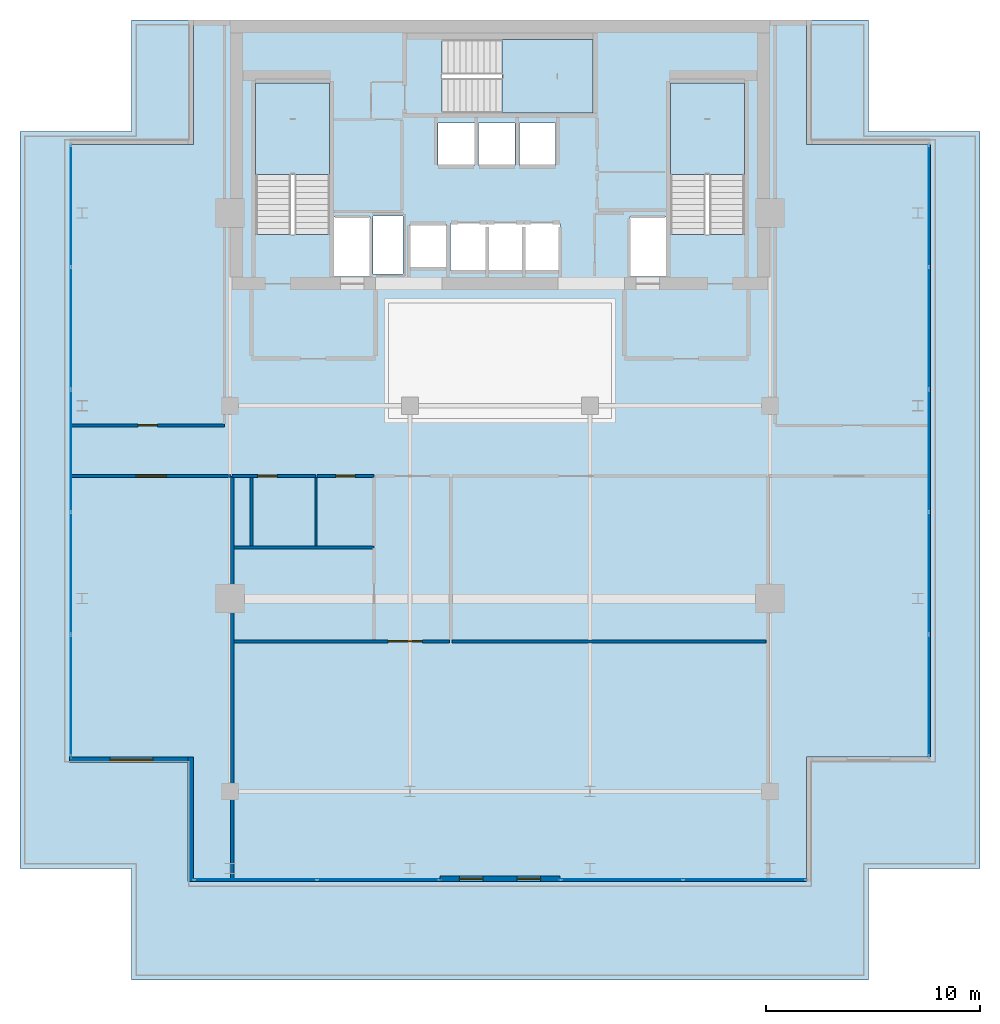
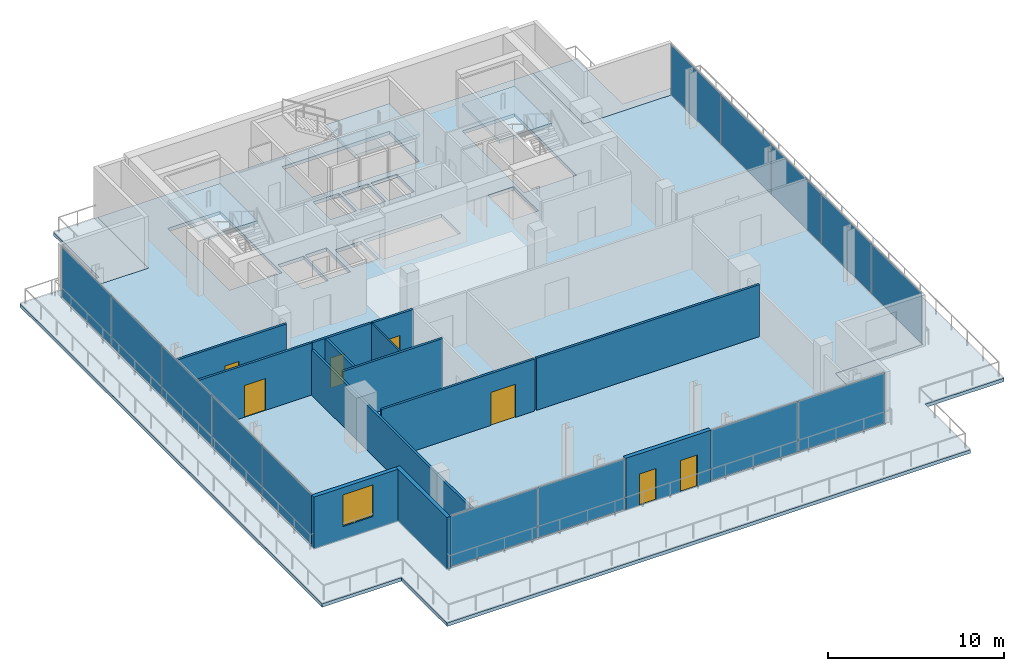
# One storey, part 15 of 21: 14 plates, 13 walls, 7 doors, 5 slabs, 1 window, 8 openings, 7 elements without a shape of their own.
"""IFC4 building model written with IfcOpenShell, lengths in metres."""

from ifc_helpers import new_model, si_unit, direction, frame, frame_2d, origin, origin_2d, place, context, subcontext, project, spatial, polyline, rectangle, outline, extrude, material, layer, layer_set, type_object, element, fill, aggregate, save


model = new_model("IFC4")

# Units and contexts
model_context = context("Model", 3, precision=1e-05, world=origin(), true_north=direction((0.0, 1.0)))
body_context = subcontext(model_context, "Body", "Model", "MODEL_VIEW")
ifc_project = project(units=[si_unit("LENGTHUNIT", "METRE"), si_unit("AREAUNIT", "SQUARE_METRE"), si_unit("VOLUMEUNIT", "CUBIC_METRE"), si_unit("PLANEANGLEUNIT", "RADIAN"), si_unit("MASSUNIT", "GRAM", prefix="KILO")], contexts=[model_context])

# Site, building, storey
site_placement = place(None, origin())
site = spatial("IfcSite", under=ifc_project, at=site_placement, CompositionType="ELEMENT")
building_placement = place(site_placement, origin())
building = spatial("IfcBuilding", under=site, at=building_placement, Name="Maruvema Waterfront Hotel and Observation Tower", CompositionType="ELEMENT")
storey_placement = place(building_placement, frame((0.0, 0.0, 322.0)))
storey = spatial("IfcBuildingStorey", under=building, at=storey_placement, Name="L79", CompositionType="ELEMENT", Elevation=322.0)

# Slabs
ifc_material_1 = material(Name="Concrete C50/60", Category="concrete")
ifc_layer_1 = layer(ifc_material_1, 0.239990234375, Name="Outdoor Setback Terrace Deck Slab 240 mm")
ifc_layer_set_1 = layer_set([ifc_layer_1], Name="Concrete C50/60")
slab_type_1 = type_object("IfcSlabType", Name="Outdoor Setback Terrace Deck Slab 240 mm", PredefinedType="FLOOR", material=ifc_layer_set_1)
slab_1_placement = place(storey_placement, frame((0.0, 0.0, -0.239990234375)))
element("IfcSlab", 1, at=slab_1_placement, inside=storey, type_object=slab_type_1, Name="L79 Outdoor Setback Terrace Deck 1", PredefinedType="FLOOR", context=body_context, shape_type="SweptSolid", body=[
    extrude(outline(polyline([(55.0, 54.0), (55.0, 48.800048828125), (60.199951171875, 48.800048828125), (60.199951171875, 14.39990234375), (55.0, 14.39990234375), (55.0, 9.199951171875), (20.60009765625, 9.199951171875), (20.60009765625, 14.39990234375), (15.39990234375, 14.39990234375), (15.39990234375, 48.800048828125), (20.60009765625, 48.800048828125), (20.60009765625, 54.0), (23.5, 54.0), (23.5, 48.199951171875), (17.699951171875, 48.199951171875), (17.699951171875, 19.60009765625), (23.5, 19.60009765625), (23.5, 13.800048828125), (52.10009765625, 13.800048828125), (52.10009765625, 19.60009765625), (57.89990234375, 19.60009765625), (57.89990234375, 48.199951171875), (52.10009765625, 48.199951171875), (52.10009765625, 54.0), (55.0, 54.0)])), origin(), (0.0, 0.0, 1.0), 0.239990234375),
])
ifc_material_2 = material(Name="Concrete C50/60", Category="concrete")
ifc_layer_2 = layer(ifc_material_2, 0.239990234375, Name="Reinforced Concrete Floor Slab 240 mm")
ifc_layer_set_2 = layer_set([ifc_layer_2], Name="Concrete C50/60")
slab_type_2 = type_object("IfcSlabType", Name="Reinforced Concrete Floor Slab 240 mm", PredefinedType="FLOOR", material=ifc_layer_set_2)
slab_2_placement = place(storey_placement, frame((0.0, 0.0, -0.239990234375)))
element("IfcSlab", 2, at=slab_2_placement, inside=storey, type_object=slab_type_2, Name="L79 Structural Floor Slab", PredefinedType="FLOOR", context=body_context, shape_type="SweptSolid", body=[
    extrude(outline(polyline([(23.5, 13.800048828125), (52.10009765625, 13.800048828125), (52.10009765625, 19.60009765625), (57.89990234375, 19.60009765625), (57.89990234375, 48.199951171875), (52.10009765625, 48.199951171875), (52.10009765625, 54.0), (23.5, 54.0), (23.5, 48.199951171875), (17.699951171875, 48.199951171875), (17.699951171875, 19.60009765625), (23.5, 19.60009765625), (23.5, 13.800048828125)]), holes=[polyline([(26.39990234375, 44.00048828125), (26.39990234375, 51.050048828125), (29.85009765625, 51.050048828125), (29.85009765625, 44.00048828125), (26.39990234375, 44.00048828125)]), polyline([(30.050048828125, 44.800048828125), (31.75, 44.800048828125), (31.75, 42.02001953125), (30.050048828125, 42.02001953125), (30.050048828125, 44.800048828125)]), polyline([(31.8798828125, 42.139892578125), (31.8798828125, 44.860107421875), (33.280029296875, 44.860107421875), (33.280029296875, 42.139892578125), (31.8798828125, 42.139892578125)]), polyline([(33.60009765625, 44.449951171875), (35.300048828125, 44.449951171875), (35.300048828125, 42.449951171875), (33.60009765625, 42.449951171875), (33.60009765625, 44.449951171875)]), polyline([(34.89990234375, 49.199951171875), (36.60009765625, 49.199951171875), (36.60009765625, 47.199951171875), (34.89990234375, 47.199951171875), (34.89990234375, 49.199951171875)]), polyline([(36.800048828125, 47.199951171875), (36.800048828125, 49.199951171875), (38.5, 49.199951171875), (38.5, 47.199951171875), (36.800048828125, 47.199951171875)]), polyline([(35.5, 42.300048828125), (35.5, 44.5), (40.60009765625, 44.5), (40.60009765625, 42.300048828125), (35.5, 42.300048828125)]), polyline([(35.1005859375, 53.10009765625), (42.14990234375, 53.10009765625), (42.14990234375, 49.64990234375), (35.1005859375, 49.64990234375), (35.1005859375, 53.10009765625)]), polyline([(38.699951171875, 49.199951171875), (40.39990234375, 49.199951171875), (40.39990234375, 47.199951171875), (38.699951171875, 47.199951171875), (38.699951171875, 49.199951171875)]), polyline([(43.85009765625, 44.800048828125), (45.550048828125, 44.800048828125), (45.550048828125, 42.02001953125), (43.85009765625, 42.02001953125), (43.85009765625, 44.800048828125)]), polyline([(45.75, 44.00048828125), (45.75, 51.050048828125), (49.199951171875, 51.050048828125), (49.199951171875, 44.00048828125), (45.75, 44.00048828125)])]), origin(), (0.0, 0.0, 1.0), 0.239990234375),
])

# Curtain wall, plates
ifc_material_3 = material(Name="Anodised bronze aluminium and solar-control low-E IGU", Category="aluminium")
ifc_layer_3 = layer(ifc_material_3, 0.159912109375, Name="Zone 4 Sky Residence Inner Curtain Wall System CW-05")
ifc_layer_set_3 = layer_set([ifc_layer_3], Name="Anodised bronze aluminium and solar-control low-E IGU")
curtain_wall_type = type_object("IfcCurtainWallType", Name="Zone 4 Sky Residence Inner Curtain Wall System CW-05", PredefinedType="USERDEFINED", material=ifc_layer_set_3)
curtain_wall_1_placement = place(storey_placement, origin())
curtain_wall_1 = element("IfcCurtainWall", 3, at=curtain_wall_1_placement, inside=storey, type_object=curtain_wall_type, Name="L79 Curtain Wall CW-L79-SW", ObjectType="UNITISED CURTAIN WALL", PredefinedType="USERDEFINED")
ifc_material_4 = material(Name="Laminated low-E solar-control double glazing", Category="glass")
ifc_layer_4 = layer(ifc_material_4, 0.035888671875, Name="Solar Control Double-Glazed Curtain Panel 36 mm")
ifc_layer_set_4 = layer_set([ifc_layer_4], Name="Laminated low-E solar-control double glazing")
plate_type = type_object("IfcPlateType", Name="Solar Control Double-Glazed Curtain Panel 36 mm", PredefinedType="CURTAIN_PANEL", material=ifc_layer_set_4)
plate_1_placement = place(storey_placement, frame((26.389892578125, 13.8798828125, 0.06005859375), z_axis=(0.0, 0.0, 1.0), x_axis=(1.0, 0.0, 0.0)))
plate_1 = element("IfcPlate", 4, at=plate_1_placement, type_object=plate_type, Name="CW-05 panel 1.1", PredefinedType="CURTAIN_PANEL", context=body_context, shape_type="SweptSolid", body=[
    extrude(rectangle(XDim=5.659912109375, YDim=0.028076171875, at=origin_2d()), origin(), (0.0, 0.0, 1.0), 3.489990234375),
])
plate_2_placement = place(storey_placement, frame((32.110107421875, 13.8798828125, 0.06005859375), z_axis=(0.0, 0.0, 1.0), x_axis=(1.0, 0.0, 0.0)))
plate_2 = element("IfcPlate", 5, at=plate_2_placement, type_object=plate_type, Name="CW-05 panel 2.1", PredefinedType="CURTAIN_PANEL", context=body_context, shape_type="SweptSolid", body=[
    extrude(rectangle(XDim=5.659912109375, YDim=0.028076171875, at=origin_2d()), origin(), (0.0, 0.0, 1.0), 3.489990234375),
])
aggregate(curtain_wall_1, [plate_1, plate_2])

curtain_wall_2_placement = place(storey_placement, origin())
curtain_wall_2 = element("IfcCurtainWall", 6, at=curtain_wall_2_placement, inside=storey, type_object=curtain_wall_type, Name="L79 Curtain Wall CW-L79-SE", ObjectType="UNITISED CURTAIN WALL", PredefinedType="USERDEFINED")
plate_3_placement = place(storey_placement, frame((43.489990234375, 13.8798828125, 0.06005859375), z_axis=(0.0, 0.0, 1.0), x_axis=(1.0, 0.0, 0.0)))
plate_3 = element("IfcPlate", 7, at=plate_3_placement, type_object=plate_type, Name="CW-05 panel 1.1", PredefinedType="CURTAIN_PANEL", context=body_context, shape_type="SweptSolid", body=[
    extrude(rectangle(XDim=5.659912109375, YDim=0.028076171875, at=origin_2d()), origin(), (0.0, 0.0, 1.0), 3.489990234375),
])
plate_4_placement = place(storey_placement, frame((49.2099609375, 13.8798828125, 0.06005859375), z_axis=(0.0, 0.0, 1.0), x_axis=(1.0, 0.0, 0.0)))
plate_4 = element("IfcPlate", 8, at=plate_4_placement, type_object=plate_type, Name="CW-05 panel 2.1", PredefinedType="CURTAIN_PANEL", context=body_context, shape_type="SweptSolid", body=[
    extrude(rectangle(XDim=5.659912109375, YDim=0.028076171875, at=origin_2d()), origin(), (0.0, 0.0, 1.0), 3.489990234375),
])
aggregate(curtain_wall_2, [plate_3, plate_4])

curtain_wall_3_placement = place(storey_placement, origin())
curtain_wall_3 = element("IfcCurtainWall", 9, at=curtain_wall_3_placement, inside=storey, type_object=curtain_wall_type, Name="L79 Curtain Wall CW-L79-E", ObjectType="UNITISED CURTAIN WALL", PredefinedType="USERDEFINED")
plate_5_placement = place(storey_placement, frame((57.820068359375, 22.47509765625, 0.06005859375), z_axis=(0.0, 0.0, 1.0), x_axis=(0.0, 1.0, 0.0)))
plate_5 = element("IfcPlate", 10, at=plate_5_placement, type_object=plate_type, Name="CW-05 panel 1.1", PredefinedType="CURTAIN_PANEL", context=body_context, shape_type="SweptSolid", body=[
    extrude(rectangle(XDim=5.6298828125, YDim=0.028076171875, at=origin_2d()), origin(), (0.0, 0.0, 1.0), 3.489990234375),
])
plate_6_placement = place(storey_placement, frame((57.820068359375, 28.179931640625, 0.06005859375), z_axis=(0.0, 0.0, 1.0), x_axis=(0.0, 1.0, 0.0)))
plate_6 = element("IfcPlate", 11, at=plate_6_placement, type_object=plate_type, Name="CW-05 panel 2.1", PredefinedType="CURTAIN_PANEL", context=body_context, shape_type="SweptSolid", body=[
    extrude(rectangle(XDim=5.659912109375, YDim=0.028076171875, at=origin_2d()), origin(), (0.0, 0.0, 1.0), 3.489990234375),
])
plate_7_placement = place(storey_placement, frame((57.820068359375, 33.89990234375, 0.06005859375), z_axis=(0.0, 0.0, 1.0), x_axis=(0.0, 1.0, 0.0)))
plate_7 = element("IfcPlate", 12, at=plate_7_placement, type_object=plate_type, Name="CW-05 panel 3.1", PredefinedType="CURTAIN_PANEL", context=body_context, shape_type="SweptSolid", body=[
    extrude(rectangle(XDim=5.659912109375, YDim=0.028076171875, at=origin_2d()), origin(), (0.0, 0.0, 1.0), 3.489990234375),
])
plate_8_placement = place(storey_placement, frame((57.820068359375, 39.6201171875, 0.06005859375), z_axis=(0.0, 0.0, 1.0), x_axis=(0.0, 1.0, 0.0)))
plate_8 = element("IfcPlate", 13, at=plate_8_placement, type_object=plate_type, Name="CW-05 panel 4.1", PredefinedType="CURTAIN_PANEL", context=body_context, shape_type="SweptSolid", body=[
    extrude(rectangle(XDim=5.659912109375, YDim=0.028076171875, at=origin_2d()), origin(), (0.0, 0.0, 1.0), 3.489990234375),
])
plate_9_placement = place(storey_placement, frame((57.820068359375, 45.324951171875, 0.06005859375), z_axis=(0.0, 0.0, 1.0), x_axis=(0.0, 1.0, 0.0)))
plate_9 = element("IfcPlate", 14, at=plate_9_placement, type_object=plate_type, Name="CW-05 panel 5.1", PredefinedType="CURTAIN_PANEL", context=body_context, shape_type="SweptSolid", body=[
    extrude(rectangle(XDim=5.6298828125, YDim=0.028076171875, at=origin_2d()), origin(), (0.0, 0.0, 1.0), 3.489990234375),
])
aggregate(curtain_wall_3, [plate_5, plate_6, plate_7, plate_8, plate_9])

curtain_wall_4_placement = place(storey_placement, origin())
curtain_wall_4 = element("IfcCurtainWall", 15, at=curtain_wall_4_placement, inside=storey, type_object=curtain_wall_type, Name="L79 Curtain Wall CW-L79-W", ObjectType="UNITISED CURTAIN WALL", PredefinedType="USERDEFINED")
plate_10_placement = place(storey_placement, frame((17.780029296875, 45.324951171875, 0.06005859375), z_axis=(0.0, 0.0, 1.0), x_axis=(0.0, -1.0, 0.0)))
plate_10 = element("IfcPlate", 16, at=plate_10_placement, type_object=plate_type, Name="CW-05 panel 1.1", PredefinedType="CURTAIN_PANEL", context=body_context, shape_type="SweptSolid", body=[
    extrude(rectangle(XDim=5.6298828125, YDim=0.028076171875, at=origin_2d()), origin(), (0.0, 0.0, 1.0), 3.489990234375),
])
plate_11_placement = place(storey_placement, frame((17.780029296875, 39.6201171875, 0.06005859375), z_axis=(0.0, 0.0, 1.0), x_axis=(0.0, -1.0, 0.0)))
plate_11 = element("IfcPlate", 17, at=plate_11_placement, type_object=plate_type, Name="CW-05 panel 2.1", PredefinedType="CURTAIN_PANEL", context=body_context, shape_type="SweptSolid", body=[
    extrude(rectangle(XDim=5.659912109375, YDim=0.028076171875, at=origin_2d()), origin(), (0.0, 0.0, 1.0), 3.489990234375),
])
plate_12_placement = place(storey_placement, frame((17.780029296875, 33.89990234375, 0.06005859375), z_axis=(0.0, 0.0, 1.0), x_axis=(0.0, -1.0, 0.0)))
plate_12 = element("IfcPlate", 18, at=plate_12_placement, type_object=plate_type, Name="CW-05 panel 3.1", PredefinedType="CURTAIN_PANEL", context=body_context, shape_type="SweptSolid", body=[
    extrude(rectangle(XDim=5.659912109375, YDim=0.028076171875, at=origin_2d()), origin(), (0.0, 0.0, 1.0), 3.489990234375),
])
plate_13_placement = place(storey_placement, frame((17.780029296875, 28.179931640625, 0.06005859375), z_axis=(0.0, 0.0, 1.0), x_axis=(0.0, -1.0, 0.0)))
plate_13 = element("IfcPlate", 19, at=plate_13_placement, type_object=plate_type, Name="CW-05 panel 4.1", PredefinedType="CURTAIN_PANEL", context=body_context, shape_type="SweptSolid", body=[
    extrude(rectangle(XDim=5.659912109375, YDim=0.028076171875, at=origin_2d()), origin(), (0.0, 0.0, 1.0), 3.489990234375),
])
plate_14_placement = place(storey_placement, frame((17.780029296875, 22.47509765625, 0.06005859375), z_axis=(0.0, 0.0, 1.0), x_axis=(0.0, -1.0, 0.0)))
plate_14 = element("IfcPlate", 20, at=plate_14_placement, type_object=plate_type, Name="CW-05 panel 5.1", PredefinedType="CURTAIN_PANEL", context=body_context, shape_type="SweptSolid", body=[
    extrude(rectangle(XDim=5.6298828125, YDim=0.028076171875, at=origin_2d()), origin(), (0.0, 0.0, 1.0), 3.489990234375),
])
aggregate(curtain_wall_4, [plate_10, plate_11, plate_12, plate_13, plate_14])

# Stair, slab
ifc_material_5 = material(Name="Concrete C50/60", Category="concrete")
stair_type = type_object("IfcStairType", Name="Dogleg Exit Stair 1650 mm (22R x 175.0 mm)", PredefinedType="HALF_TURN_STAIR", material=ifc_material_5)
stair_1_placement = place(storey_placement, origin())
stair_1 = element("IfcStair", 21, at=stair_1_placement, inside=storey, type_object=stair_type, Name="L79 ST-01", PredefinedType="HALF_TURN_STAIR")
ifc_material_6 = material(Name="Concrete C50/60", Category="concrete")
ifc_layer_5 = layer(ifc_material_6, 0.219970703125, Name="Stair Concrete Landing Slab 220 mm")
ifc_layer_set_5 = layer_set([ifc_layer_5], Name="Concrete C50/60")
slab_type_3 = type_object("IfcSlabType", Name="Stair Concrete Landing Slab 220 mm", PredefinedType="LANDING", material=ifc_layer_set_5)
slab_3_placement = place(storey_placement, frame((0.0, 0.0, 1.705078125)))
slab_3 = element("IfcSlab", 22, at=slab_3_placement, type_object=slab_type_3, Name="ST-01 landing 1", PredefinedType="LANDING", context=body_context, shape_type="SweptSolid", body=[
    extrude(outline(polyline([(29.85009765625, 46.800048828125), (29.85009765625, 51.050048828125), (26.39990234375, 51.050048828125), (26.39990234375, 46.800048828125), (29.85009765625, 46.800048828125)])), origin(), (0.0, 0.0, 1.0), 0.219970703125),
])
aggregate(stair_1, [slab_3])

stair_2_placement = place(storey_placement, origin())
stair_2 = element("IfcStair", 23, at=stair_2_placement, inside=storey, type_object=stair_type, Name="L79 ST-02", PredefinedType="HALF_TURN_STAIR")
slab_4_placement = place(storey_placement, frame((0.0, 0.0, 1.705078125)))
slab_4 = element("IfcSlab", 24, at=slab_4_placement, type_object=slab_type_3, Name="ST-02 landing 1", PredefinedType="LANDING", context=body_context, shape_type="SweptSolid", body=[
    extrude(outline(polyline([(37.89990234375, 49.64990234375), (42.14990234375, 49.64990234375), (42.14990234375, 53.10009765625), (37.89990234375, 53.10009765625), (37.89990234375, 49.64990234375)])), origin(), (0.0, 0.0, 1.0), 0.219970703125),
])
aggregate(stair_2, [slab_4])

stair_3_placement = place(storey_placement, origin())
stair_3 = element("IfcStair", 25, at=stair_3_placement, inside=storey, type_object=stair_type, Name="L79 ST-03", PredefinedType="HALF_TURN_STAIR")
slab_5_placement = place(storey_placement, frame((0.0, 0.0, 1.705078125)))
slab_5 = element("IfcSlab", 26, at=slab_5_placement, type_object=slab_type_3, Name="ST-03 landing 1", PredefinedType="LANDING", context=body_context, shape_type="SweptSolid", body=[
    extrude(outline(polyline([(49.199951171875, 46.800048828125), (49.199951171875, 51.050048828125), (45.75, 51.050048828125), (45.75, 46.800048828125), (49.199951171875, 46.800048828125)])), origin(), (0.0, 0.0, 1.0), 0.219970703125),
])
aggregate(stair_3, [slab_5])

# Wall, opening, door
ifc_material_7 = material(Name="Twin-stud acoustic gypsum drywall", Category="gypsum")
ifc_layer_6 = layer(ifc_material_7, 0.14990234375, Name="Acoustic Corridor and Suite Demising Wall 150 mm")
ifc_layer_set_6 = layer_set([ifc_layer_6], Name="Twin-stud acoustic gypsum drywall")
wall_type_1 = type_object("IfcWallType", Name="Acoustic Corridor and Suite Demising Wall 150 mm", PredefinedType="PARTITIONING", material=ifc_layer_set_6)
wall_1_placement = place(storey_placement, frame((25.300048828125, 32.719970703125, 0.0), z_axis=(0.0, 0.0, 1.0), x_axis=(1.0, 0.0, 0.0)))
wall_1 = element("IfcWall", 27, at=wall_1_placement, inside=storey, type_object=wall_type_1, Name="L79 L79 Public WC North 021", PredefinedType="PARTITIONING", context=body_context, shape_type="SweptSolid", body=[
    extrude(rectangle(XDim=3.8798828125, YDim=0.14990234375, at=frame_2d((1.93994140625, 0.0))), origin(), (0.0, 0.0, 1.0), 3.610107421875),
])
opening_1_placement = place(wall_1_placement, frame((1.199951171875, 0.0, 0.0)))
opening_1 = element("IfcOpeningElement", 28, at=opening_1_placement, cuts=wall_1, Name="Opening DR-090", PredefinedType="OPENING", context=body_context, shape_type="SweptSolid", body=[
    extrude(rectangle(XDim=0.89990234375, YDim=2.10009765625, at=frame_2d((0.449951171875, 1.050048828125))), frame((0.0, 0.0849609375, 0.0), z_axis=(0.0, -1.0, 0.0), x_axis=(1.0, 0.0, 0.0)), (0.0, 0.0, 1.0), 0.169921875),
])
ifc_material_8 = material(Name="Solid-core lacquered timber leaf", Category="wood")
door_type_1 = type_object("IfcDoorType", Name="Accessible Toilet and Room Door 900x2100 mm", OperationType="NOTDEFINED", PredefinedType="DOOR", material=ifc_material_8)
door_1_placement = place(opening_1_placement, origin())
door_1 = element("IfcDoor", 29, at=door_1_placement, inside=storey, type_object=door_type_1, Name="L79 Public Toilet Door", OperationType="SINGLE_SWING_RIGHT", OverallHeight=2.10009765625, OverallWidth=0.89990234375, PredefinedType="DOOR", context=body_context, shape_type="SweptSolid", body=[
    extrude(rectangle(XDim=0.89990234375, YDim=2.10009765625, at=frame_2d((0.449951171875, 1.050048828125))), frame((0.0, 0.02490234375, 0.0), z_axis=(0.0, -1.0, 0.0), x_axis=(1.0, 0.0, 0.0)), (0.0, 0.0, 1.0), 0.050048828125),
])
fill(opening_1, door_1)

wall_2_placement = place(storey_placement, frame((29.260009765625, 32.719970703125, 0.0), z_axis=(0.0, 0.0, 1.0), x_axis=(1.0, 0.0, 0.0)))
wall_2 = element("IfcWall", 30, at=wall_2_placement, inside=storey, type_object=wall_type_1, Name="L79 L79 Acc WC North 022", PredefinedType="PARTITIONING", context=body_context, shape_type="SweptSolid", body=[
    extrude(rectangle(XDim=2.659912109375, YDim=0.14990234375, at=frame_2d((1.330078125, 0.0))), origin(), (0.0, 0.0, 1.0), 3.610107421875),
])
opening_2_placement = place(wall_2_placement, frame((0.8798828125, 0.0, 0.0)))
opening_2 = element("IfcOpeningElement", 31, at=opening_2_placement, cuts=wall_2, Name="Opening DR-090", PredefinedType="OPENING", context=body_context, shape_type="SweptSolid", body=[
    extrude(rectangle(XDim=0.89990234375, YDim=2.10009765625, at=frame_2d((0.449951171875, 1.050048828125))), frame((0.0, 0.0849609375, 0.0), z_axis=(0.0, -1.0, 0.0), x_axis=(1.0, 0.0, 0.0)), (0.0, 0.0, 1.0), 0.169921875),
])
door_2_placement = place(opening_2_placement, origin())
door_2 = element("IfcDoor", 32, at=door_2_placement, inside=storey, type_object=door_type_1, Name="L79 Accessible WC Door", OperationType="SINGLE_SWING_LEFT", OverallHeight=2.10009765625, OverallWidth=0.89990234375, PredefinedType="DOOR", context=body_context, shape_type="SweptSolid", body=[
    extrude(rectangle(XDim=0.89990234375, YDim=2.10009765625, at=frame_2d((0.449951171875, 1.050048828125))), frame((0.0, 0.02490234375, 0.0), z_axis=(0.0, -1.0, 0.0), x_axis=(1.0, 0.0, 0.0)), (0.0, 0.0, 1.0), 0.050048828125),
])
fill(opening_2, door_2)

# Walls
wall_3_placement = place(storey_placement, frame((25.3798828125, 29.3798828125, 0.0), z_axis=(0.0, 0.0, 1.0), x_axis=(1.0, 0.0, 0.0)))
element("IfcWall", 33, at=wall_3_placement, inside=storey, type_object=wall_type_1, Name="L79 L79 WC South 023", PredefinedType="PARTITIONING", context=body_context, shape_type="SweptSolid", body=[
    extrude(rectangle(XDim=6.5400390625, YDim=0.14990234375, at=frame_2d((3.27001953125, 0.0))), origin(), (0.0, 0.0, 1.0), 3.610107421875),
])
wall_4_placement = place(storey_placement, frame((26.199951171875, 29.4599609375, 0.0), z_axis=(0.0, 0.0, 1.0), x_axis=(0.0, 1.0, 0.0)))
element("IfcWall", 34, at=wall_4_placement, inside=storey, type_object=wall_type_1, Name="L79 L79 WC West 024", PredefinedType="PARTITIONING", context=body_context, shape_type="SweptSolid", body=[
    extrude(rectangle(XDim=3.179931640625, YDim=0.14990234375, at=frame_2d((1.58984375, 0.0))), origin(), (0.0, 0.0, 1.0), 3.610107421875),
])

# Wall, opening, door
wall_5_placement = place(storey_placement, frame((25.3798828125, 25.0, 0.0), z_axis=(0.0, 0.0, 1.0), x_axis=(1.0, 0.0, 0.0)))
wall_5 = element("IfcWall", 35, at=wall_5_placement, inside=storey, type_object=wall_type_1, Name="L79 L79 Sky Lobby Vestibule South 027", PredefinedType="PARTITIONING", context=body_context, shape_type="SweptSolid", body=[
    extrude(rectangle(XDim=10.06005859375, YDim=0.14990234375, at=frame_2d((5.030029296875, 0.0))), origin(), (0.0, 0.0, 1.0), 3.610107421875),
])
opening_3_placement = place(wall_5_placement, frame((7.199951171875, 0.0, 0.0)))
opening_3 = element("IfcOpeningElement", 36, at=opening_3_placement, cuts=wall_5, Name="Opening DR-160", PredefinedType="OPENING", context=body_context, shape_type="SweptSolid", body=[
    extrude(rectangle(XDim=1.60009765625, YDim=2.300048828125, at=frame_2d((0.800048828125, 1.14990234375))), frame((0.0, 0.0849609375, 0.0), z_axis=(0.0, -1.0, 0.0), x_axis=(1.0, 0.0, 0.0)), (0.0, 0.0, 1.0), 0.169921875),
])
ifc_material_9 = material(Name="Acoustic veneered hardwood double leaf", Category="wood")
door_type_2 = type_object("IfcDoorType", Name="Ballroom and Lounge Double Door 1600x2300 mm", OperationType="DOUBLE_DOOR_SINGLE_SWING", PredefinedType="DOOR", material=ifc_material_9)
door_3_placement = place(opening_3_placement, origin())
door_3 = element("IfcDoor", 37, at=door_3_placement, inside=storey, type_object=door_type_2, Name="L79 L79 Sky Lobby Door", OperationType="DOUBLE_DOOR_SINGLE_SWING", OverallHeight=2.300048828125, OverallWidth=1.60009765625, PredefinedType="DOOR", context=body_context, shape_type="SweptSolid", body=[
    extrude(rectangle(XDim=1.60009765625, YDim=2.300048828125, at=frame_2d((0.800048828125, 1.14990234375))), frame((0.0, 0.02490234375, 0.0), z_axis=(0.0, -1.0, 0.0), x_axis=(1.0, 0.0, 0.0)), (0.0, 0.0, 1.0), 0.050048828125),
])
fill(opening_3, door_3)

# Wall
wall_6_placement = place(storey_placement, frame((35.56005859375, 25.0, 0.0), z_axis=(0.0, 0.0, 1.0), x_axis=(1.0, 0.0, 0.0)))
element("IfcWall", 38, at=wall_6_placement, inside=storey, type_object=wall_type_1, Name="L79 L79 Sky Lobby Split 028", PredefinedType="PARTITIONING", context=body_context, shape_type="SweptSolid", body=[
    extrude(rectangle(XDim=14.659912109375, YDim=0.14990234375, at=frame_2d((7.330078125, 0.0))), origin(), (0.0, 0.0, 1.0), 3.610107421875),
])

# Wall, opening, door
wall_7_placement = place(storey_placement, frame((17.780029296875, 32.719970703125, 0.0), z_axis=(0.0, 0.0, 1.0), x_axis=(1.0, 0.0, 0.0)))
wall_7 = element("IfcWall", 39, at=wall_7_placement, inside=storey, type_object=wall_type_1, Name="L79 L79 Dining North 033", PredefinedType="PARTITIONING", context=body_context, shape_type="SweptSolid", body=[
    extrude(rectangle(XDim=7.469970703125, YDim=0.14990234375, at=frame_2d((3.73486328125, 0.0))), origin(), (0.0, 0.0, 1.0), 3.610107421875),
])
opening_4_placement = place(wall_7_placement, frame((3.034912109375, 0.0, 0.0)))
opening_4 = element("IfcOpeningElement", 40, at=opening_4_placement, cuts=wall_7, Name="Opening DR-140", PredefinedType="OPENING", context=body_context, shape_type="SweptSolid", body=[
    extrude(rectangle(XDim=1.39990234375, YDim=2.199951171875, at=frame_2d((0.699951171875, 1.10009765625))), frame((0.0, 0.0849609375, 0.0), z_axis=(0.0, -1.0, 0.0), x_axis=(1.0, 0.0, 0.0)), (0.0, 0.0, 1.0), 0.169921875),
])
ifc_material_10 = material(Name="Anodised bronze framed acoustic glass leaf", Category="glass")
door_type_3 = type_object("IfcDoorType", Name="Conference and Restaurant Double Door 1400x2200 mm", OperationType="DOUBLE_DOOR_SINGLE_SWING", PredefinedType="DOOR", material=ifc_material_10)
door_4_placement = place(opening_4_placement, origin())
door_4 = element("IfcDoor", 41, at=door_4_placement, inside=storey, type_object=door_type_3, Name="L79 L79 Dining Door", OperationType="DOUBLE_DOOR_SINGLE_SWING", OverallHeight=2.199951171875, OverallWidth=1.39990234375, PredefinedType="DOOR", context=body_context, shape_type="SweptSolid", body=[
    extrude(rectangle(XDim=1.39990234375, YDim=2.199951171875, at=frame_2d((0.699951171875, 1.10009765625))), frame((0.0, 0.02490234375, 0.0), z_axis=(0.0, -1.0, 0.0), x_axis=(1.0, 0.0, 0.0)), (0.0, 0.0, 1.0), 0.050048828125),
])
fill(opening_4, door_4)

# Wall
wall_8_placement = place(storey_placement, frame((25.300048828125, 13.8798828125, 0.0), z_axis=(0.0, 0.0, 1.0), x_axis=(0.0, 1.0, 0.0)))
element("IfcWall", 42, at=wall_8_placement, inside=storey, type_object=wall_type_1, Name="L79 L79 West Spine 035", PredefinedType="PARTITIONING", context=body_context, shape_type="SweptSolid", body=[
    extrude(rectangle(XDim=18.840087890625, YDim=0.14990234375, at=frame_2d((9.419921875, 0.0))), origin(), (0.0, 0.0, 1.0), 3.14111328125),
])

# Wall, opening, door
wall_9_placement = place(storey_placement, frame((17.780029296875, 35.080078125, 0.0), z_axis=(0.0, 0.0, 1.0), x_axis=(1.0, 0.0, 0.0)))
wall_9 = element("IfcWall", 43, at=wall_9_placement, inside=storey, type_object=wall_type_1, Name="L79 L79 VIP Wall 037", PredefinedType="PARTITIONING", context=body_context, shape_type="SweptSolid", body=[
    extrude(rectangle(XDim=7.169921875, YDim=0.14990234375, at=frame_2d((3.5849609375, 0.0))), origin(), (0.0, 0.0, 1.0), 3.610107421875),
])
opening_5_placement = place(wall_9_placement, frame((3.135009765625, 0.0, 0.0)))
opening_5 = element("IfcOpeningElement", 44, at=opening_5_placement, cuts=wall_9, Name="Opening DR-090", PredefinedType="OPENING", context=body_context, shape_type="SweptSolid", body=[
    extrude(rectangle(XDim=0.89990234375, YDim=2.10009765625, at=frame_2d((0.449951171875, 1.050048828125))), frame((0.0, 0.0849609375, 0.0), z_axis=(0.0, -1.0, 0.0), x_axis=(1.0, 0.0, 0.0)), (0.0, 0.0, 1.0), 0.169921875),
])
door_5_placement = place(opening_5_placement, frame((0.89990234375, 0.0, 0.0), z_axis=(0.0, 0.0, 1.0), x_axis=(-1.0, 0.0, 0.0)))
door_5 = element("IfcDoor", 45, at=door_5_placement, inside=storey, type_object=door_type_1, Name="L79 VIP Boardroom Door", OperationType="SINGLE_SWING_LEFT", OverallHeight=2.10009765625, OverallWidth=0.89990234375, PredefinedType="DOOR", context=body_context, shape_type="SweptSolid", body=[
    extrude(rectangle(XDim=0.89990234375, YDim=2.10009765625, at=frame_2d((0.449951171875, 1.050048828125))), frame((0.0, 0.02490234375, 0.0), z_axis=(0.0, -1.0, 0.0), x_axis=(1.0, 0.0, 0.0)), (0.0, 0.0, 1.0), 0.050048828125),
])
fill(opening_5, door_5)

# Walls
ifc_material_11 = material(Name="Moisture-resistant cement-board drywall", Category="gypsum")
ifc_layer_7 = layer(ifc_material_11, 0.10009765625, Name="En-Suite Moisture-Resistant Partition 100 mm")
ifc_layer_set_7 = layer_set([ifc_layer_7], Name="Moisture-resistant cement-board drywall")
wall_type_2 = type_object("IfcWallType", Name="En-Suite Moisture-Resistant Partition 100 mm", PredefinedType="PARTITIONING", material=ifc_layer_set_7)
wall_10_placement = place(storey_placement, frame((29.219970703125, 29.4599609375, 0.0), z_axis=(0.0, 0.0, 1.0), x_axis=(0.0, 1.0, 0.0)))
element("IfcWall", 46, at=wall_10_placement, inside=storey, type_object=wall_type_2, Name="L79 L79 WC Split 025", PredefinedType="PARTITIONING", context=body_context, shape_type="SweptSolid", body=[
    extrude(rectangle(XDim=3.179931640625, YDim=0.10009765625, at=frame_2d((1.58984375, 0.0))), origin(), (0.0, 0.0, 1.0), 3.610107421875),
])
ifc_material_12 = material(Name="Precast concrete C45/55 with honed Pernambuco granite facing", Category="masonry")
ifc_layer_8 = layer(ifc_material_12, 0.260009765625, Name="Exterior Granite Clad Spandrel and Pier Wall 260 mm")
ifc_layer_set_8 = layer_set([ifc_layer_8], Name="Precast concrete C45/55 with honed Pernambuco granite facing")
wall_type_3 = type_object("IfcWallType", Name="Exterior Granite Clad Spandrel and Pier Wall 260 mm", PredefinedType="SOLIDWALL", material=ifc_layer_set_8)
wall_11_placement = place(storey_placement, frame((23.3701171875, 13.800048828125, 0.0), z_axis=(0.0, 0.0, 1.0), x_axis=(0.0, 1.0, 0.0)))
element("IfcWall", 47, at=wall_11_placement, inside=storey, type_object=wall_type_3, Name="L79 Corner Notch Granite Pier Wall SW1", PredefinedType="SOLIDWALL", context=body_context, shape_type="SweptSolid", body=[
    extrude(rectangle(XDim=5.800048828125, YDim=0.260009765625, at=frame_2d((2.89990234375, 0.0))), origin(), (0.0, 0.0, 1.0), 3.610107421875),
])

# Wall, opening, window
wall_12_placement = place(storey_placement, frame((23.5, 19.469970703125, 0.0), z_axis=(0.0, 0.0, 1.0), x_axis=(-1.0, 0.0, 0.0)))
wall_12 = element("IfcWall", 48, at=wall_12_placement, inside=storey, type_object=wall_type_3, Name="L79 Corner Notch Granite Pier Wall SW2", PredefinedType="SOLIDWALL", context=body_context, shape_type="SweptSolid", body=[
    extrude(rectangle(XDim=5.800048828125, YDim=0.260009765625, at=frame_2d((2.89990234375, 0.0))), origin(), (0.0, 0.0, 1.0), 3.610107421875),
])
opening_6_placement = place(wall_12_placement, frame((1.89990234375, 0.0, 0.89990234375)))
opening_6 = element("IfcOpeningElement", 49, at=opening_6_placement, cuts=wall_12, Name="Opening WN-03", PredefinedType="OPENING", context=body_context, shape_type="SweptSolid", body=[
    extrude(rectangle(XDim=2.0, YDim=2.199951171875, at=frame_2d((1.0, 1.10009765625))), frame((0.0, 0.14013671875, 0.0), z_axis=(0.0, -1.0, 0.0), x_axis=(1.0, 0.0, 0.0)), (0.0, 0.0, 1.0), 0.280029296875),
])
ifc_material_13 = material(Name="Anodised bronze aluminium frame with laminated low-E glass", Category="aluminium")
window_type = type_object("IfcWindowType", Name="Sky Suite Panoramic Notch Window 2000x2200 mm", PartitioningType="SINGLE_PANEL", PredefinedType="WINDOW", material=ifc_material_13)
window_placement = place(opening_6_placement, origin())
window = element("IfcWindow", 50, at=window_placement, inside=storey, type_object=window_type, Name="L79 Corner Notch Punched Window SW2", OverallHeight=2.199951171875, OverallWidth=2.0, PartitioningType="SINGLE_PANEL", PredefinedType="WINDOW", context=body_context, shape_type="SweptSolid", body=[
    extrude(rectangle(XDim=2.0, YDim=2.199951171875, at=frame_2d((1.0, 1.10009765625))), frame((0.0, 0.030029296875, 0.0), z_axis=(0.0, -1.0, 0.0), x_axis=(1.0, 0.0, 0.0)), (0.0, 0.0, 1.0), 0.06005859375),
])
fill(opening_6, window)

# Wall, openings, doors
wall_13_placement = place(storey_placement, frame((40.60009765625, 13.929931640625, 0.0), z_axis=(0.0, 0.0, 1.0), x_axis=(-1.0, 0.0, 0.0)))
wall_13 = element("IfcWall", 51, at=wall_13_placement, inside=storey, type_object=wall_type_3, Name="L79 South Terrace Access Portal Wall", PredefinedType="SOLIDWALL", context=body_context, shape_type="SweptSolid", body=[
    extrude(rectangle(XDim=5.60009765625, YDim=0.260009765625, at=frame_2d((2.800048828125, 0.0))), origin(), (0.0, 0.0, 1.0), 3.610107421875),
])
opening_7_placement = place(wall_13_placement, frame((0.89990234375, 0.0, 0.0)))
opening_7 = element("IfcOpeningElement", 52, at=opening_7_placement, cuts=wall_13, Name="Opening TD-01", PredefinedType="OPENING", context=body_context, shape_type="SweptSolid", body=[
    extrude(rectangle(XDim=1.10009765625, YDim=2.199951171875, at=frame_2d((0.550048828125, 1.10009765625))), frame((0.0, 0.14013671875, 0.0), z_axis=(0.0, -1.0, 0.0), x_axis=(1.0, 0.0, 0.0)), (0.0, 0.0, 1.0), 0.280029296875),
])
opening_8_placement = place(wall_13_placement, frame((3.60009765625, 0.0, 0.0)))
opening_8 = element("IfcOpeningElement", 53, at=opening_8_placement, cuts=wall_13, Name="Opening TD-01", PredefinedType="OPENING", context=body_context, shape_type="SweptSolid", body=[
    extrude(rectangle(XDim=1.10009765625, YDim=2.199951171875, at=frame_2d((0.550048828125, 1.10009765625))), frame((0.0, 0.14013671875, 0.0), z_axis=(0.0, -1.0, 0.0), x_axis=(1.0, 0.0, 0.0)), (0.0, 0.0, 1.0), 0.280029296875),
])
ifc_material_14 = material(Name="Anodised bronze aluminium and laminated safety glass", Category="aluminium")
door_type_4 = type_object("IfcDoorType", Name="Setback Terrace Weatherproof Glazed Door 1100x2200 mm", OperationType="NOTDEFINED", PredefinedType="DOOR", material=ifc_material_14)
door_6_placement = place(opening_7_placement, origin())
door_6 = element("IfcDoor", 54, at=door_6_placement, inside=storey, type_object=door_type_4, Name="L79 Setback Terrace Door East", OperationType="SINGLE_SWING_LEFT", OverallHeight=2.199951171875, OverallWidth=1.10009765625, PredefinedType="DOOR", context=body_context, shape_type="SweptSolid", body=[
    extrude(rectangle(XDim=1.10009765625, YDim=2.199951171875, at=frame_2d((0.550048828125, 1.10009765625))), frame((0.0, 0.02490234375, 0.0), z_axis=(0.0, -1.0, 0.0), x_axis=(1.0, 0.0, 0.0)), (0.0, 0.0, 1.0), 0.050048828125),
])
fill(opening_7, door_6)
door_7_placement = place(opening_8_placement, origin())
door_7 = element("IfcDoor", 55, at=door_7_placement, inside=storey, type_object=door_type_4, Name="L79 Setback Terrace Door West", OperationType="SINGLE_SWING_RIGHT", OverallHeight=2.199951171875, OverallWidth=1.10009765625, PredefinedType="DOOR", context=body_context, shape_type="SweptSolid", body=[
    extrude(rectangle(XDim=1.10009765625, YDim=2.199951171875, at=frame_2d((0.550048828125, 1.10009765625))), frame((0.0, 0.02490234375, 0.0), z_axis=(0.0, -1.0, 0.0), x_axis=(1.0, 0.0, 0.0)), (0.0, 0.0, 1.0), 0.050048828125),
])
fill(opening_8, door_7)

save(model, "model.ifc")
